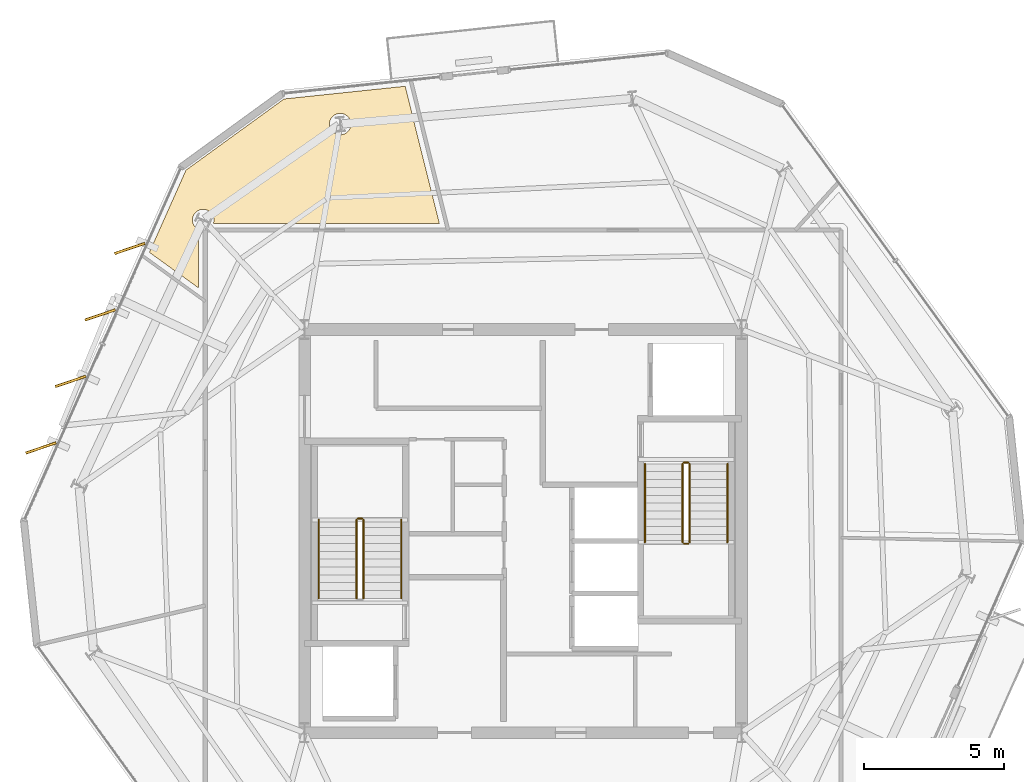
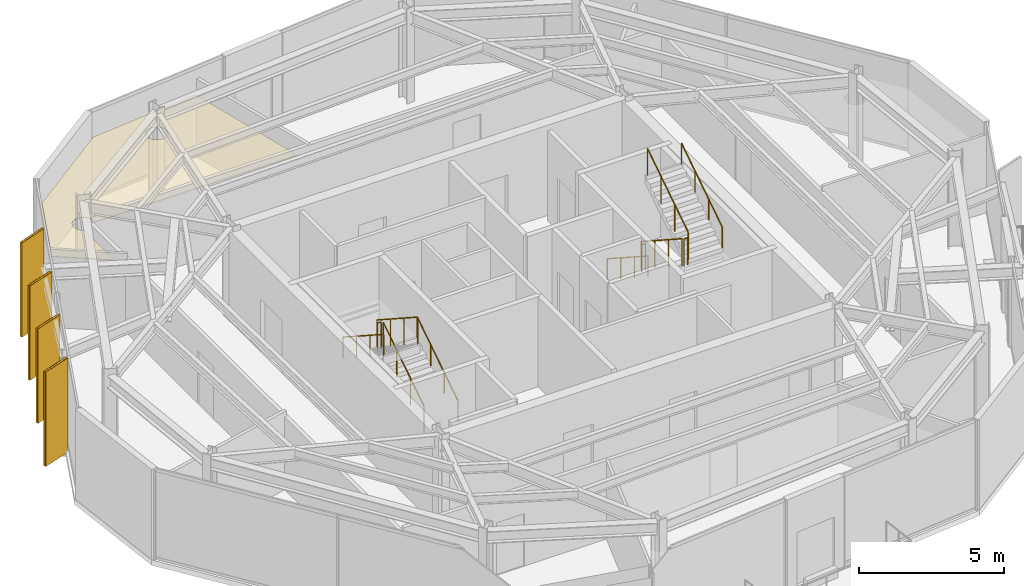
# One storey, part 10 of 11: 11 railings, 5 coverings, 4 shading devices.
"""IFC4 building model written with IfcOpenShell, lengths in metres."""

from ifc_helpers import new_model, si_unit, direction, frame, origin, origin_2d, place, context, subcontext, project, spatial, polyline, rectangle, circle, outline, extrude, material, layer, layer_set, type_object, element, save


model = new_model("IFC4")

# Units and contexts
model_context = context("Model", 3, precision=1e-05, world=origin(), true_north=direction((0.0, 1.0)))
body_context = subcontext(model_context, "Body", "Model", "MODEL_VIEW")
ifc_project = project(units=[si_unit("LENGTHUNIT", "METRE"), si_unit("AREAUNIT", "SQUARE_METRE"), si_unit("VOLUMEUNIT", "CUBIC_METRE"), si_unit("PLANEANGLEUNIT", "RADIAN"), si_unit("MASSUNIT", "GRAM", prefix="KILO")], contexts=[model_context])

# Site, building, storey
site_placement = place(None, origin())
site = spatial("IfcSite", under=ifc_project, at=site_placement, CompositionType="ELEMENT")
building_placement = place(site_placement, origin())
building = spatial("IfcBuilding", under=site, at=building_placement, Name="Kranzbogen Civic Tower", CompositionType="ELEMENT")
storey_placement = place(building_placement, frame((0.0, 0.0, 290.199951171875)))
storey = spatial("IfcBuildingStorey", under=building, at=storey_placement, Name="L70", CompositionType="ELEMENT", Elevation=290.199951171875)

# Coverings
ifc_material_1 = material(Name="Pale Anodised Aluminium", Category="aluminium")
ifc_layer_1 = layer(ifc_material_1, 0.02490234375, Name="Pale Anodised Aluminium")
ifc_layer_set_1 = layer_set([ifc_layer_1], Name="Pale Anodised Aluminium")
covering_type_1 = type_object("IfcCoveringType", Name="Anodised Aluminium Vertical Fin Cladding 25 mm", PredefinedType="CLADDING", material=ifc_layer_set_1)
for number, where, z_axis, x_axis, name in (
    (1, (10.952880859375, 35.095947265625, -0.139892578125), (0.0, 0.0, 1.0), (-0.946986216842, -0.321274189923, 0.0), "L70 vertical fin pale-metal cladding F2-1"),
    (2, (9.89501953125, 32.720947265625, -0.139892578125), (0.0, 0.0, 1.0), (-0.946986216842, -0.321274189923, 0.0), "L70 vertical fin pale-metal cladding F2-2"),
    (3, (8.837890625, 30.345947265625, -0.139892578125), (0.0, 0.0, 1.0), (-0.946986216842, -0.321274189923, 0.0), "L70 vertical fin pale-metal cladding F2-3"),
    (4, (7.780029296875, 27.970947265625, -0.139892578125), (0.0, 0.0, 1.0), (-0.946986216842, -0.321274189923, 0.0), "L70 vertical fin pale-metal cladding F2-4"),
):
    element("IfcCovering", number, at=place(storey_placement, frame(where, z_axis=z_axis, x_axis=x_axis)), inside=storey, type_object=covering_type_1, Name=name, PredefinedType="CLADDING", context=body_context, shape_type="SweptSolid", body=[
        extrude(rectangle(XDim=1.14990234375, YDim=0.094970703125, at=origin_2d()), origin(), (0.0, 0.0, 1.0), 3.9599609375),
    ])

# Railings
ifc_material_2 = material(Name="Steel S355", Category="steel")
railing_type_1 = type_object("IfcRailingType", Name="Internal Stair and Void Steel Guardrail 1150", PredefinedType="GUARDRAIL", material=ifc_material_2)
railing_1_placement = place(storey_placement, frame((19.300048828125, 22.60009765625, 0.181884765625)))
element("IfcRailing", 5, at=railing_1_placement, inside=storey, type_object=railing_type_1, Name="L70 ST-T1 stair guard 1", PredefinedType="GUARDRAIL", context=body_context, shape_type="SweptSolid", body=[
    extrude(circle(Radius=0.02392578125, at=origin_2d()), frame((0.0, 0.0, 1.1259765625), z_axis=(0.0, 0.83868413941, 0.544618136222), x_axis=(-1.0, 0.0, 0.0)), (0.0, 0.0, 1.0), 3.33837890625),
    extrude(circle(Radius=0.02099609375, at=origin_2d()), origin(), (0.0, 0.0, 1.0), 1.101806640625),
    extrude(circle(Radius=0.02099609375, at=origin_2d()), frame((0.0, 0.933349609375, 0.60595703125)), (0.0, 0.0, 1.0), 1.101806640625),
    extrude(circle(Radius=0.02099609375, at=origin_2d()), frame((0.0, 1.866455078125, 1.212158203125)), (0.0, 0.0, 1.0), 1.101806640625),
    extrude(circle(Radius=0.02099609375, at=origin_2d()), frame((0.0, 2.7998046875, 1.818115234375)), (0.0, 0.0, 1.0), 1.101806640625),
])
railing_2_placement = place(storey_placement, frame((19.25, 25.449951171875, 2.0)))
element("IfcRailing", 6, at=railing_2_placement, inside=storey, type_object=railing_type_1, Name="L70 ST-T1 stair guard 2", PredefinedType="GUARDRAIL", context=body_context, shape_type="SweptSolid", body=[
    extrude(circle(Radius=0.02392578125, at=origin_2d()), frame((0.0, 0.0, 1.1259765625), z_axis=(-1.0, 0.0, 0.0), x_axis=(0.0, -1.0, 0.0)), (0.0, 0.0, 1.0), 0.14990234375),
    extrude(circle(Radius=0.02099609375, at=origin_2d()), origin(), (0.0, 0.0, 1.0), 1.101806640625),
    extrude(circle(Radius=0.02099609375, at=origin_2d()), frame((-0.14990234375, 0.0, 0.0)), (0.0, 0.0, 1.0), 1.101806640625),
])
for number, where, name in (
    (7, (19.050048828125, 25.39990234375, 2.181884765625), "L70 ST-T1 stair guard 3"),
    (8, (30.699951171875, 27.39990234375, 0.181884765625), "L70 ST-T2 stair guard 1"),
):
    element("IfcRailing", number, at=place(storey_placement, frame(where)), inside=storey, type_object=railing_type_1, Name=name, PredefinedType="GUARDRAIL", context=body_context, shape_type="SweptSolid", body=[
        extrude(circle(Radius=0.02392578125, at=origin_2d()), frame((0.0, 0.0, 1.1259765625), z_axis=(0.0, -0.83868413941, 0.544618136222), x_axis=(1.0, 0.0, 0.0)), (0.0, 0.0, 1.0), 3.33837890625),
        extrude(circle(Radius=0.02099609375, at=origin_2d()), origin(), (0.0, 0.0, 1.0), 1.101806640625),
        extrude(circle(Radius=0.02099609375, at=origin_2d()), frame((0.0, -0.933349609375, 0.60595703125)), (0.0, 0.0, 1.0), 1.101806640625),
        extrude(circle(Radius=0.02099609375, at=origin_2d()), frame((0.0, -1.866455078125, 1.212158203125)), (0.0, 0.0, 1.0), 1.101806640625),
        extrude(circle(Radius=0.02099609375, at=origin_2d()), frame((0.0, -2.7998046875, 1.818115234375)), (0.0, 0.0, 1.0), 1.101806640625),
    ])
railing_3_placement = place(storey_placement, frame((30.75, 24.550048828125, 2.0)))
element("IfcRailing", 9, at=railing_3_placement, inside=storey, type_object=railing_type_1, Name="L70 ST-T2 stair guard 2", PredefinedType="GUARDRAIL", context=body_context, shape_type="SweptSolid", body=[
    extrude(circle(Radius=0.02392578125, at=origin_2d()), frame((0.0, 0.0, 1.1259765625), z_axis=(1.0, 0.0, 0.0), x_axis=(0.0, 1.0, 0.0)), (0.0, 0.0, 1.0), 0.14990234375),
    extrude(circle(Radius=0.02099609375, at=origin_2d()), origin(), (0.0, 0.0, 1.0), 1.101806640625),
    extrude(circle(Radius=0.02099609375, at=origin_2d()), frame((0.14990234375, 0.0, 0.0)), (0.0, 0.0, 1.0), 1.101806640625),
])
railing_4_placement = place(storey_placement, frame((30.949951171875, 24.60009765625, 2.181884765625)))
element("IfcRailing", 10, at=railing_4_placement, inside=storey, type_object=railing_type_1, Name="L70 ST-T2 stair guard 3", PredefinedType="GUARDRAIL", context=body_context, shape_type="SweptSolid", body=[
    extrude(circle(Radius=0.02392578125, at=origin_2d()), frame((0.0, 0.0, 1.1259765625), z_axis=(0.0, 0.83868413941, 0.544618136222), x_axis=(-1.0, 0.0, 0.0)), (0.0, 0.0, 1.0), 3.33837890625),
    extrude(circle(Radius=0.02099609375, at=origin_2d()), origin(), (0.0, 0.0, 1.0), 1.101806640625),
    extrude(circle(Radius=0.02099609375, at=origin_2d()), frame((0.0, 0.933349609375, 0.60595703125)), (0.0, 0.0, 1.0), 1.101806640625),
    extrude(circle(Radius=0.02099609375, at=origin_2d()), frame((0.0, 1.866455078125, 1.212158203125)), (0.0, 0.0, 1.0), 1.101806640625),
    extrude(circle(Radius=0.02099609375, at=origin_2d()), frame((0.0, 2.7998046875, 1.818115234375)), (0.0, 0.0, 1.0), 1.101806640625),
])
railing_5_placement = place(storey_placement, frame((30.75, 27.449951171875, 0.0)))
element("IfcRailing", 11, at=railing_5_placement, inside=storey, type_object=railing_type_1, Name="L70 ST-T2 stair guard 4", PredefinedType="GUARDRAIL", context=body_context, shape_type="SweptSolid", body=[
    extrude(circle(Radius=0.02392578125, at=origin_2d()), frame((0.0, 0.0, 1.1259765625), z_axis=(1.0, 0.0, 0.0), x_axis=(0.0, 1.0, 0.0)), (0.0, 0.0, 1.0), 0.14990234375),
    extrude(circle(Radius=0.02099609375, at=origin_2d()), origin(), (0.0, 0.0, 1.0), 1.101806640625),
    extrude(circle(Radius=0.02099609375, at=origin_2d()), frame((0.14990234375, 0.0, 0.0)), (0.0, 0.0, 1.0), 1.101806640625),
])

# Shading devices
shading_device_type = type_object("IfcShadingDeviceType", Name="Pale Anodised Aluminium Crown Fin 1150x75", PredefinedType="USERDEFINED", material=ifc_material_1)
for number, where, z_axis, x_axis, name in (
    (12, (10.952880859375, 35.095947265625, -0.139892578125), (0.0, 0.0, 1.0), (-0.946986216842, -0.321274189923, 0.0), "L70 vertical exterior shading fin F2-1"),
    (13, (9.89501953125, 32.720947265625, -0.139892578125), (0.0, 0.0, 1.0), (-0.946986216842, -0.321274189923, 0.0), "L70 vertical exterior shading fin F2-2"),
    (14, (8.837890625, 30.345947265625, -0.139892578125), (0.0, 0.0, 1.0), (-0.946986216842, -0.321274189923, 0.0), "L70 vertical exterior shading fin F2-3"),
    (15, (7.780029296875, 27.970947265625, -0.139892578125), (0.0, 0.0, 1.0), (-0.946986216842, -0.321274189923, 0.0), "L70 vertical exterior shading fin F2-4"),
):
    element("IfcShadingDevice", number, at=place(storey_placement, frame(where, z_axis=z_axis, x_axis=x_axis)), inside=storey, type_object=shading_device_type, Name=name, ObjectType="FIN", PredefinedType="USERDEFINED", context=body_context, shape_type="SweptSolid", body=[
        extrude(rectangle(XDim=1.14990234375, YDim=0.074951171875, at=origin_2d()), origin(), (0.0, 0.0, 1.0), 3.9599609375),
    ])

# Covering
ifc_material_3 = material(Name="Perforated Acoustic Gypsum Ceiling")
ifc_layer_2 = layer(ifc_material_3, 0.02490234375, Name="Perforated Acoustic Gypsum Ceiling")
ifc_layer_set_2 = layer_set([ifc_layer_2], Name="Perforated Acoustic Gypsum Ceiling")
covering_type_2 = type_object("IfcCoveringType", Name="Perforated Acoustic Mineral Ceiling Tile 25 mm", PredefinedType="CEILING", material=ifc_layer_set_2)
covering_placement = place(storey_placement, frame((0.0, 0.0, 2.75)))
element("IfcCovering", 16, at=covering_placement, inside=storey, type_object=covering_type_2, Name="L70 Duty Crew Control Room acoustic ceiling", PredefinedType="CEILING", context=body_context, shape_type="SweptSolid", body=[
    extrude(outline(polyline([(16.4609375, 40.43408203125), (20.7880859375, 40.888916015625), (22.007080078125, 35.9951171875), (13.94091796875, 35.9951171875), (13.94189453125, 35.9990234375), (13.950927734375, 36.034912109375), (13.95703125, 36.072021484375), (13.9580078125, 36.110107421875), (13.95703125, 36.14794921875), (13.950927734375, 36.18505859375), (13.94189453125, 36.220947265625), (13.928955078125, 36.257080078125), (13.9130859375, 36.291015625), (13.89404296875, 36.322998046875), (13.87109375, 36.35302734375), (13.845947265625, 36.381103515625), (13.818115234375, 36.406005859375), (13.7880859375, 36.428955078125), (13.756103515625, 36.447998046875), (13.721923828125, 36.464111328125), (13.68603515625, 36.47705078125), (13.64990234375, 36.486083984375), (13.613037109375, 36.491943359375), (13.574951171875, 36.492919921875), (13.537109375, 36.491943359375), (13.5, 36.486083984375), (13.464111328125, 36.47705078125), (13.427978515625, 36.464111328125), (13.39404296875, 36.447998046875), (13.362060546875, 36.428955078125), (13.33203125, 36.406005859375), (13.303955078125, 36.381103515625), (13.279052734375, 36.35302734375), (13.256103515625, 36.322998046875), (13.237060546875, 36.291015625), (13.220947265625, 36.257080078125), (13.2080078125, 36.220947265625), (13.198974609375, 36.18505859375), (13.193115234375, 36.14794921875), (13.19189453125, 36.110107421875), (13.193115234375, 36.072021484375), (13.198974609375, 36.034912109375), (13.2080078125, 35.9990234375), (13.220947265625, 35.962890625), (13.237060546875, 35.928955078125), (13.256103515625, 35.89697265625), (13.279052734375, 35.866943359375), (13.303955078125, 35.839111328125), (13.33203125, 35.81396484375), (13.362060546875, 35.791015625), (13.39404296875, 35.77197265625), (13.406005859375, 35.76611328125), (13.406005859375, 35.764892578125), (13.405029296875, 35.759033203125), (13.405029296875, 35.75), (13.405029296875, 33.68798828125), (11.653076171875, 34.955078125), (12.9599609375, 37.89111328125), (16.4609375, 40.43408203125)]), holes=[polyline([(18.821044921875, 39.388916015625), (18.804931640625, 39.35498046875), (18.785888671875, 39.322998046875), (18.762939453125, 39.29296875), (18.738037109375, 39.264892578125), (18.7099609375, 39.239990234375), (18.679931640625, 39.217041015625), (18.64794921875, 39.197998046875), (18.614013671875, 39.181884765625), (18.577880859375, 39.1689453125), (18.5419921875, 39.159912109375), (18.5048828125, 39.154052734375), (18.467041015625, 39.153076171875), (18.428955078125, 39.154052734375), (18.39208984375, 39.159912109375), (18.35595703125, 39.1689453125), (18.320068359375, 39.181884765625), (18.285888671875, 39.197998046875), (18.25390625, 39.217041015625), (18.22412109375, 39.239990234375), (18.196044921875, 39.264892578125), (18.1708984375, 39.29296875), (18.14794921875, 39.322998046875), (18.12890625, 39.35498046875), (18.113037109375, 39.388916015625), (18.10009765625, 39.425048828125), (18.091064453125, 39.4609375), (18.0849609375, 39.498046875), (18.083984375, 39.535888671875), (18.0849609375, 39.573974609375), (18.091064453125, 39.611083984375), (18.10009765625, 39.64697265625), (18.113037109375, 39.68310546875), (18.12890625, 39.717041015625), (18.14794921875, 39.7490234375), (18.1708984375, 39.779052734375), (18.196044921875, 39.806884765625), (18.22412109375, 39.83203125), (18.25390625, 39.85498046875), (18.285888671875, 39.8740234375), (18.320068359375, 39.889892578125), (18.35595703125, 39.903076171875), (18.39208984375, 39.912109375), (18.428955078125, 39.91796875), (18.467041015625, 39.9189453125), (18.5048828125, 39.91796875), (18.5419921875, 39.912109375), (18.577880859375, 39.903076171875), (18.614013671875, 39.889892578125), (18.64794921875, 39.8740234375), (18.679931640625, 39.85498046875), (18.7099609375, 39.83203125), (18.738037109375, 39.806884765625), (18.762939453125, 39.779052734375), (18.785888671875, 39.7490234375), (18.804931640625, 39.717041015625), (18.821044921875, 39.68310546875), (18.833984375, 39.64697265625), (18.843017578125, 39.611083984375), (18.84912109375, 39.573974609375), (18.85009765625, 39.535888671875), (18.84912109375, 39.498046875), (18.843017578125, 39.4609375), (18.833984375, 39.425048828125), (18.821044921875, 39.388916015625)])]), origin(), (0.0, 0.0, 1.0), 0.025146484375),
])

# Railings
railing_type_2 = type_object("IfcRailingType", Name="Tubular Stainless Stair Wall Handrail 900", PredefinedType="HANDRAIL", material=ifc_material_1)
railing_6_placement = place(storey_placement, frame((20.64990234375, 22.60009765625, 0.181884765625)))
element("IfcRailing", 17, at=railing_6_placement, inside=storey, type_object=railing_type_2, Name="L70 ST-T1 stair handrail 1", PredefinedType="HANDRAIL", context=body_context, shape_type="SweptSolid", body=[
    extrude(circle(Radius=0.02392578125, at=origin_2d()), frame((0.0, 0.0, 0.8759765625), z_axis=(0.0, 0.83868413941, 0.544618136222), x_axis=(-1.0, 0.0, 0.0)), (0.0, 0.0, 1.0), 3.33837890625),
    extrude(circle(Radius=0.02099609375, at=origin_2d()), origin(), (0.0, 0.0, 1.0), 0.851806640625),
    extrude(circle(Radius=0.02099609375, at=origin_2d()), frame((0.0, 0.933349609375, 0.60595703125)), (0.0, 0.0, 1.0), 0.851806640625),
    extrude(circle(Radius=0.02099609375, at=origin_2d()), frame((0.0, 1.866455078125, 1.212158203125)), (0.0, 0.0, 1.0), 0.851806640625),
    extrude(circle(Radius=0.02099609375, at=origin_2d()), frame((0.0, 2.7998046875, 1.818115234375)), (0.0, 0.0, 1.0), 0.851806640625),
])
for number, where, name in (
    (18, (17.699951171875, 25.39990234375, 2.181884765625), "L70 ST-T1 stair handrail 2"),
    (19, (29.35009765625, 27.39990234375, 0.181884765625), "L70 ST-T2 stair handrail 1"),
):
    element("IfcRailing", number, at=place(storey_placement, frame(where)), inside=storey, type_object=railing_type_2, Name=name, PredefinedType="HANDRAIL", context=body_context, shape_type="SweptSolid", body=[
        extrude(circle(Radius=0.02392578125, at=origin_2d()), frame((0.0, 0.0, 0.8759765625), z_axis=(0.0, -0.83868413941, 0.544618136222), x_axis=(1.0, 0.0, 0.0)), (0.0, 0.0, 1.0), 3.33837890625),
        extrude(circle(Radius=0.02099609375, at=origin_2d()), origin(), (0.0, 0.0, 1.0), 0.851806640625),
        extrude(circle(Radius=0.02099609375, at=origin_2d()), frame((0.0, -0.933349609375, 0.60595703125)), (0.0, 0.0, 1.0), 0.851806640625),
        extrude(circle(Radius=0.02099609375, at=origin_2d()), frame((0.0, -1.866455078125, 1.212158203125)), (0.0, 0.0, 1.0), 0.851806640625),
        extrude(circle(Radius=0.02099609375, at=origin_2d()), frame((0.0, -2.7998046875, 1.818115234375)), (0.0, 0.0, 1.0), 0.851806640625),
    ])
railing_7_placement = place(storey_placement, frame((32.300048828125, 24.60009765625, 2.181884765625)))
element("IfcRailing", 20, at=railing_7_placement, inside=storey, type_object=railing_type_2, Name="L70 ST-T2 stair handrail 2", PredefinedType="HANDRAIL", context=body_context, shape_type="SweptSolid", body=[
    extrude(circle(Radius=0.02392578125, at=origin_2d()), frame((0.0, 0.0, 0.8759765625), z_axis=(0.0, 0.83868413941, 0.544618136222), x_axis=(-1.0, 0.0, 0.0)), (0.0, 0.0, 1.0), 3.33837890625),
    extrude(circle(Radius=0.02099609375, at=origin_2d()), origin(), (0.0, 0.0, 1.0), 0.851806640625),
    extrude(circle(Radius=0.02099609375, at=origin_2d()), frame((0.0, 0.933349609375, 0.60595703125)), (0.0, 0.0, 1.0), 0.851806640625),
    extrude(circle(Radius=0.02099609375, at=origin_2d()), frame((0.0, 1.866455078125, 1.212158203125)), (0.0, 0.0, 1.0), 0.851806640625),
    extrude(circle(Radius=0.02099609375, at=origin_2d()), frame((0.0, 2.7998046875, 1.818115234375)), (0.0, 0.0, 1.0), 0.851806640625),
])

save(model, "model.ifc")
